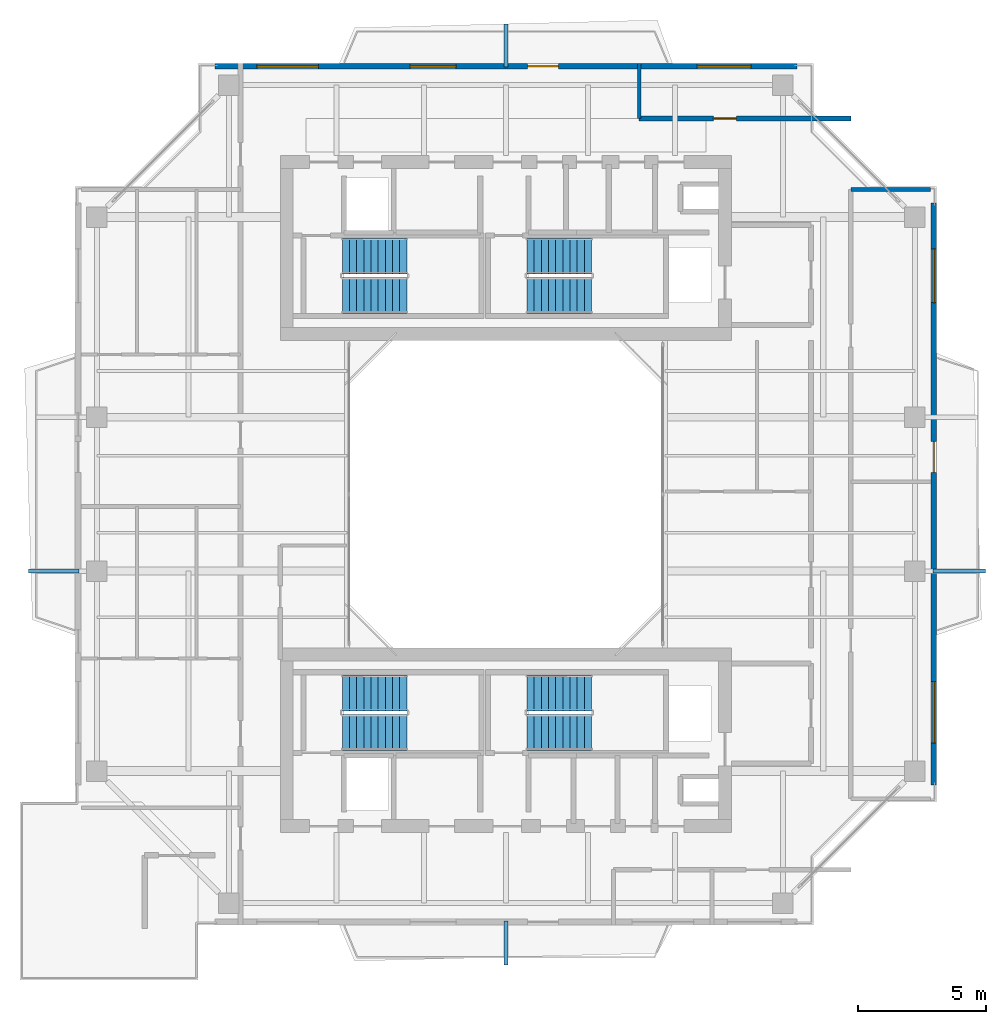
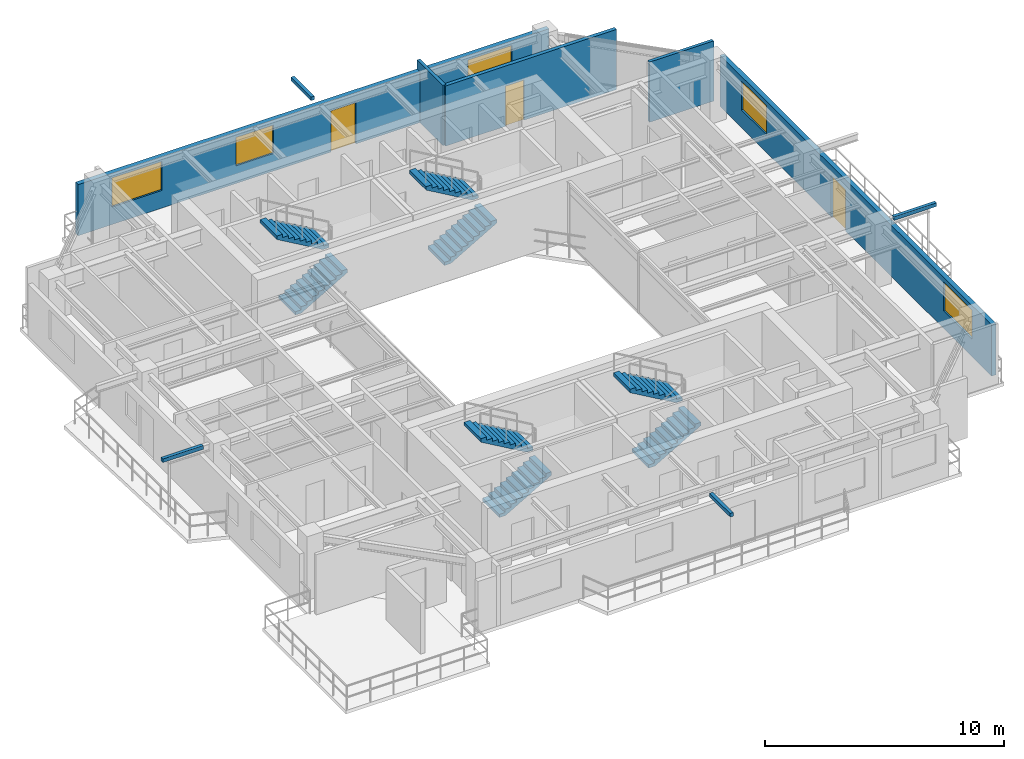
# One storey, part 12 of 15: 8 stair flights, 5 walls, 5 windows, 4 discrete accessories, 3 doors, 8 openings, 4 elements without a shape of their own.
"""IFC4 building model written with IfcOpenShell, lengths in metres."""

from ifc_helpers import new_model, si_unit, direction, frame, frame_2d, origin, origin_2d, place, context, subcontext, project, spatial, polyline, rectangle, outline, extrude, source, transform, mapped, material, layer, layer_set, type_object, element, fill, aggregate, save


model = new_model("IFC4")

# Units and contexts
model_context = context("Model", 3, precision=1e-05, world=origin(), true_north=direction((0.0, 1.0)))
body_context = subcontext(model_context, "Body", "Model", "MODEL_VIEW")
ifc_project = project(units=[si_unit("LENGTHUNIT", "METRE"), si_unit("AREAUNIT", "SQUARE_METRE"), si_unit("VOLUMEUNIT", "CUBIC_METRE"), si_unit("PLANEANGLEUNIT", "RADIAN"), si_unit("MASSUNIT", "GRAM", prefix="KILO"), si_unit("THERMODYNAMICTEMPERATUREUNIT", "KELVIN"), si_unit("POWERUNIT", "WATT")], contexts=[model_context])

# Site, building, storey
site_placement = place(None, origin())
site = spatial("IfcSite", under=ifc_project, at=site_placement, CompositionType="ELEMENT")
building_placement = place(site_placement, origin())
building = spatial("IfcBuilding", under=site, at=building_placement, Name="Qiaomeng Ring Towers", CompositionType="ELEMENT")
storey_placement = place(building_placement, frame((0.0, 0.0, 193.75)))
storey = spatial("IfcBuildingStorey", under=building, at=storey_placement, Name="L56", CompositionType="ELEMENT", Elevation=193.75)

# Wall, openings, windows, door
ifc_material_1 = material(Name="Precast concrete C40", Category="concrete")
ifc_layer_1 = layer(ifc_material_1, 0.219970703125, Name="Precast concrete C40")
ifc_layer_set_1 = layer_set([ifc_layer_1], Name="Precast concrete C40")
wall_type_1 = type_object("IfcWallType", Name="ARC-WL-EW2", PredefinedType="STANDARD", material=ifc_layer_set_1)
wall_1_placement = place(storey_placement, frame((7.64990234375, 39.68994140625, 0.0), z_axis=(0.0, 0.0, 1.0), x_axis=(1.0, 0.0, 0.0)))
wall_1 = element("IfcWall", 1, at=wall_1_placement, inside=storey, type_object=wall_type_1, Name="L56 Tower 1 N Exterior Wall", PredefinedType="STANDARD", context=body_context, shape_type="SweptSolid", body=[
    extrude(rectangle(XDim=22.7001953125, YDim=0.219970703125, at=frame_2d((11.35009765625, 0.0))), origin(), (0.0, 0.0, 1.0), 2.610107421875),
])
opening_1_placement = place(wall_1_placement, frame((12.199951171875, 0.0, 0.0)))
opening_1 = element("IfcOpeningElement", 2, at=opening_1_placement, cuts=wall_1, Name="Opening BD1", PredefinedType="OPENING", context=body_context, shape_type="SweptSolid", body=[
    extrude(rectangle(XDim=1.199951171875, YDim=2.10009765625, at=frame_2d((0.60009765625, 1.050048828125))), frame((0.0, 0.119873046875, 0.0), z_axis=(0.0, -1.0, 0.0), x_axis=(1.0, 0.0, 0.0)), (0.0, 0.0, 1.0), 0.239990234375),
])
opening_2_placement = place(wall_1_placement, frame((1.636962890625, 0.0, 0.89990234375)))
opening_2 = element("IfcOpeningElement", 3, at=opening_2_placement, cuts=wall_1, Name="Opening WN6", PredefinedType="OPENING", context=body_context, shape_type="SweptSolid", body=[
    extrude(rectangle(XDim=2.39990234375, YDim=1.47998046875, at=frame_2d((1.199951171875, 0.739990234375))), frame((0.0, 0.119873046875, 0.0), z_axis=(0.0, -1.0, 0.0), x_axis=(1.0, 0.0, 0.0)), (0.0, 0.0, 1.0), 0.239990234375),
])
opening_3_placement = place(wall_1_placement, frame((7.612060546875, 0.0, 0.89990234375)))
opening_3 = element("IfcOpeningElement", 4, at=opening_3_placement, cuts=wall_1, Name="Opening WN1", PredefinedType="OPENING", context=body_context, shape_type="SweptSolid", body=[
    extrude(rectangle(XDim=1.800048828125, YDim=1.449951171875, at=frame_2d((0.89990234375, 0.72509765625))), frame((0.0, 0.119873046875, 0.0), z_axis=(0.0, -1.0, 0.0), x_axis=(1.0, 0.0, 0.0)), (0.0, 0.0, 1.0), 0.239990234375),
])
opening_4_placement = place(wall_1_placement, frame((18.81201171875, 0.0, 0.89990234375)))
opening_4 = element("IfcOpeningElement", 5, at=opening_4_placement, cuts=wall_1, Name="Opening WN4", PredefinedType="OPENING", context=body_context, shape_type="SweptSolid", body=[
    extrude(rectangle(XDim=2.10009765625, YDim=1.47998046875, at=frame_2d((1.050048828125, 0.739990234375))), frame((0.0, 0.119873046875, 0.0), z_axis=(0.0, -1.0, 0.0), x_axis=(1.0, 0.0, 0.0)), (0.0, 0.0, 1.0), 0.239990234375),
])
ifc_material_2 = material(Name="Low-E dark-grey laminated double glazing", Category="glass")
window_type_1 = type_object("IfcWindowType", Name="ARC-WN-4", PartitioningType="TRIPLE_PANEL_VERTICAL", PredefinedType="WINDOW", material=ifc_material_2)
shared_shape_1 = source(origin(), body_context, "Body", "SweptSolid", [
    extrude(rectangle(XDim=2.10009765625, YDim=1.47998046875, at=frame_2d((1.050048828125, 0.739990234375))), frame((0.0, 0.030029296875, 0.0), z_axis=(0.0, -1.0, 0.0), x_axis=(1.0, 0.0, 0.0)), (0.0, 0.0, 1.0), 0.06005859375),
])
window_1_placement = place(opening_4_placement, origin())
window_1 = element("IfcWindow", 6, at=window_1_placement, inside=storey, type_object=window_type_1, Name="L56 Exterior Window WN4", OverallHeight=1.47998046875, OverallWidth=2.10009765625, PartitioningType="TRIPLE_PANEL_VERTICAL", PredefinedType="WINDOW", context=body_context, shape_type="MappedRepresentation", body=[
    mapped(shared_shape_1, transform((0.0, 0.0, 0.0), x_axis=(1.0, 0.0, 0.0), y_axis=(0.0, 1.0, 0.0), z_axis=(0.0, 0.0, 1.0), scale=1.0)),
])
fill(opening_4, window_1)
window_type_2 = type_object("IfcWindowType", Name="ARC-WN-1", PartitioningType="DOUBLE_PANEL_VERTICAL", PredefinedType="WINDOW", material=ifc_material_2)
shared_shape_2 = source(origin(), body_context, "Body", "SweptSolid", [
    extrude(rectangle(XDim=1.800048828125, YDim=1.449951171875, at=frame_2d((0.89990234375, 0.72509765625))), frame((0.0, 0.030029296875, 0.0), z_axis=(0.0, -1.0, 0.0), x_axis=(1.0, 0.0, 0.0)), (0.0, 0.0, 1.0), 0.06005859375),
])
window_2_placement = place(opening_3_placement, origin())
window_2 = element("IfcWindow", 7, at=window_2_placement, inside=storey, type_object=window_type_2, Name="L56 Exterior Window WN1", OverallHeight=1.449951171875, OverallWidth=1.800048828125, PartitioningType="DOUBLE_PANEL_VERTICAL", PredefinedType="WINDOW", context=body_context, shape_type="MappedRepresentation", body=[
    mapped(shared_shape_2, transform((0.0, 0.0, 0.0), x_axis=(1.0, 0.0, 0.0), y_axis=(0.0, 1.0, 0.0), z_axis=(0.0, 0.0, 1.0), scale=1.0)),
])
fill(opening_3, window_2)
window_type_3 = type_object("IfcWindowType", Name="ARC-WN-6", PartitioningType="TRIPLE_PANEL_VERTICAL", PredefinedType="WINDOW", material=ifc_material_2)
shared_shape_3 = source(origin(), body_context, "Body", "SweptSolid", [
    extrude(rectangle(XDim=2.39990234375, YDim=1.47998046875, at=frame_2d((1.199951171875, 0.739990234375))), frame((0.0, 0.030029296875, 0.0), z_axis=(0.0, -1.0, 0.0), x_axis=(1.0, 0.0, 0.0)), (0.0, 0.0, 1.0), 0.06005859375),
])
window_3_placement = place(opening_2_placement, origin())
window_3 = element("IfcWindow", 8, at=window_3_placement, inside=storey, type_object=window_type_3, Name="L56 Exterior Window WN6", OverallHeight=1.47998046875, OverallWidth=2.39990234375, PartitioningType="TRIPLE_PANEL_VERTICAL", PredefinedType="WINDOW", context=body_context, shape_type="MappedRepresentation", body=[
    mapped(shared_shape_3, transform((0.0, 0.0, 0.0), x_axis=(1.0, 0.0, 0.0), y_axis=(0.0, 1.0, 0.0), z_axis=(0.0, 0.0, 1.0), scale=1.0)),
])
fill(opening_2, window_3)
door_type_1 = type_object("IfcDoorType", Name="ARC-DR-BD1", OperationType="NOTDEFINED", PredefinedType="DOOR", material=ifc_material_2)
shared_shape_4 = source(origin(), body_context, "Body", "SweptSolid", [
    extrude(rectangle(XDim=1.199951171875, YDim=2.10009765625, at=frame_2d((0.60009765625, 1.050048828125))), frame((0.0, 0.02490234375, 0.0), z_axis=(0.0, -1.0, 0.0), x_axis=(1.0, 0.0, 0.0)), (0.0, 0.0, 1.0), 0.050048828125),
])
door_1_placement = place(opening_1_placement, origin())
door_1 = element("IfcDoor", 9, at=door_1_placement, inside=storey, type_object=door_type_1, Name="L56 N Balcony Glazed Door", OperationType="SINGLE_SWING_LEFT", OverallHeight=2.10009765625, OverallWidth=1.199951171875, PredefinedType="DOOR", context=body_context, shape_type="MappedRepresentation", body=[
    mapped(shared_shape_4, transform((0.0, 0.0, 0.0), x_axis=(1.0, 0.0, 0.0), y_axis=(0.0, 1.0, 0.0), z_axis=(0.0, 0.0, 1.0), scale=1.0)),
])
fill(opening_1, door_1)

wall_2_placement = place(storey_placement, frame((35.68994140625, 11.64990234375, 0.0), z_axis=(0.0, 0.0, 1.0), x_axis=(0.0, 1.0, 0.0)))
wall_2 = element("IfcWall", 10, at=wall_2_placement, inside=storey, type_object=wall_type_1, Name="L56 Tower 1 E Exterior Wall", PredefinedType="STANDARD", context=body_context, shape_type="SweptSolid", body=[
    extrude(rectangle(XDim=22.7001953125, YDim=0.219970703125, at=frame_2d((11.35009765625, 0.0))), origin(), (0.0, 0.0, 1.0), 2.610107421875),
])
opening_5_placement = place(wall_2_placement, frame((12.199951171875, 0.0, 0.0)))
opening_5 = element("IfcOpeningElement", 11, at=opening_5_placement, cuts=wall_2, Name="Opening BD1", PredefinedType="OPENING", context=body_context, shape_type="SweptSolid", body=[
    extrude(rectangle(XDim=1.199951171875, YDim=2.10009765625, at=frame_2d((0.60009765625, 1.050048828125))), frame((0.0, 0.119873046875, 0.0), z_axis=(0.0, -1.0, 0.0), x_axis=(1.0, 0.0, 0.0)), (0.0, 0.0, 1.0), 0.239990234375),
])
opening_6_placement = place(wall_2_placement, frame((1.637939453125, 0.0, 0.89990234375)))
opening_6 = element("IfcOpeningElement", 12, at=opening_6_placement, cuts=wall_2, Name="Opening WN6", PredefinedType="OPENING", context=body_context, shape_type="SweptSolid", body=[
    extrude(rectangle(XDim=2.39990234375, YDim=1.47998046875, at=frame_2d((1.199951171875, 0.739990234375))), frame((0.0, 0.119873046875, 0.0), z_axis=(0.0, -1.0, 0.0), x_axis=(1.0, 0.0, 0.0)), (0.0, 0.0, 1.0), 0.239990234375),
])
opening_7_placement = place(wall_2_placement, frame((18.81298828125, 0.0, 0.89990234375)))
opening_7 = element("IfcOpeningElement", 13, at=opening_7_placement, cuts=wall_2, Name="Opening WN4", PredefinedType="OPENING", context=body_context, shape_type="SweptSolid", body=[
    extrude(rectangle(XDim=2.10009765625, YDim=1.47998046875, at=frame_2d((1.050048828125, 0.739990234375))), frame((0.0, 0.119873046875, 0.0), z_axis=(0.0, -1.0, 0.0), x_axis=(1.0, 0.0, 0.0)), (0.0, 0.0, 1.0), 0.239990234375),
])
window_4_placement = place(opening_7_placement, origin())
window_4 = element("IfcWindow", 14, at=window_4_placement, inside=storey, type_object=window_type_1, Name="L56 Exterior Window WN4", OverallHeight=1.47998046875, OverallWidth=2.10009765625, PartitioningType="TRIPLE_PANEL_VERTICAL", PredefinedType="WINDOW", context=body_context, shape_type="MappedRepresentation", body=[
    mapped(shared_shape_1, transform((0.0, 0.0, 0.0), x_axis=(1.0, 0.0, 0.0), y_axis=(0.0, 1.0, 0.0), z_axis=(0.0, 0.0, 1.0), scale=1.0)),
])
fill(opening_7, window_4)
window_5_placement = place(opening_6_placement, origin())
window_5 = element("IfcWindow", 15, at=window_5_placement, inside=storey, type_object=window_type_3, Name="L56 Exterior Window WN6", OverallHeight=1.47998046875, OverallWidth=2.39990234375, PartitioningType="TRIPLE_PANEL_VERTICAL", PredefinedType="WINDOW", context=body_context, shape_type="MappedRepresentation", body=[
    mapped(shared_shape_3, transform((0.0, 0.0, 0.0), x_axis=(1.0, 0.0, 0.0), y_axis=(0.0, 1.0, 0.0), z_axis=(0.0, 0.0, 1.0), scale=1.0)),
])
fill(opening_6, window_5)
door_2_placement = place(opening_5_placement, origin())
door_2 = element("IfcDoor", 16, at=door_2_placement, inside=storey, type_object=door_type_1, Name="L56 E Balcony Glazed Door", OperationType="SINGLE_SWING_LEFT", OverallHeight=2.10009765625, OverallWidth=1.199951171875, PredefinedType="DOOR", context=body_context, shape_type="MappedRepresentation", body=[
    mapped(shared_shape_4, transform((0.0, 0.0, 0.0), x_axis=(1.0, 0.0, 0.0), y_axis=(0.0, 1.0, 0.0), z_axis=(0.0, 0.0, 1.0), scale=1.0)),
])
fill(opening_5, door_2)

# Wall, opening, door
ifc_material_3 = material(Name="Autoclaved aerated concrete block", Category="concrete")
ifc_layer_2 = layer(ifc_material_3, 0.179931640625, Name="Autoclaved aerated concrete block")
ifc_layer_set_2 = layer_set([ifc_layer_2], Name="Autoclaved aerated concrete block")
wall_type_2 = type_object("IfcWallType", Name="ARC-WL-PW2", PredefinedType="PARTITIONING", material=ifc_layer_set_2)
wall_3_placement = place(storey_placement, frame((24.199951171875, 37.64990234375, 0.0), z_axis=(0.0, 0.0, 1.0), x_axis=(1.0, 0.0, 0.0)))
wall_3 = element("IfcWall", 17, at=wall_3_placement, inside=storey, type_object=wall_type_2, Name="L56 Interior Wall PW2", PredefinedType="PARTITIONING", context=body_context, shape_type="SweptSolid", body=[
    extrude(rectangle(XDim=8.25, YDim=0.179931640625, at=frame_2d((4.125, 0.0))), origin(), (0.0, 0.0, 1.0), 3.070068359375),
])
opening_8_placement = place(wall_3_placement, frame((2.889892578125, 0.0, 0.0)))
opening_8 = element("IfcOpeningElement", 18, at=opening_8_placement, cuts=wall_3, Name="Opening ID1", PredefinedType="OPENING", context=body_context, shape_type="SweptSolid", body=[
    extrude(rectangle(XDim=0.89990234375, YDim=2.050048828125, at=frame_2d((0.449951171875, 1.02490234375))), frame((0.0, 0.099853515625, 0.0), z_axis=(0.0, -1.0, 0.0), x_axis=(1.0, 0.0, 0.0)), (0.0, 0.0, 1.0), 0.199951171875),
])
ifc_material_4 = material(Name="Engineered oak timber", Category="wood")
door_type_2 = type_object("IfcDoorType", Name="ARC-DR-ID1", OperationType="NOTDEFINED", PredefinedType="DOOR", material=ifc_material_4)
shared_shape_5 = source(origin(), body_context, "Body", "SweptSolid", [
    extrude(rectangle(XDim=0.89990234375, YDim=2.050048828125, at=frame_2d((0.449951171875, 1.02490234375))), frame((0.0, 0.02490234375, 0.0), z_axis=(0.0, -1.0, 0.0), x_axis=(1.0, 0.0, 0.0)), (0.0, 0.0, 1.0), 0.050048828125),
])
door_3_placement = place(opening_8_placement, origin())
door_3 = element("IfcDoor", 19, at=door_3_placement, inside=storey, type_object=door_type_2, Name="L56 Door ID1", OperationType="SINGLE_SWING_LEFT", OverallHeight=2.050048828125, OverallWidth=0.89990234375, PredefinedType="DOOR", context=body_context, shape_type="MappedRepresentation", body=[
    mapped(shared_shape_5, transform((0.0, 0.0, 0.0), x_axis=(1.0, 0.0, 0.0), y_axis=(0.0, 1.0, 0.0), z_axis=(0.0, 0.0, 1.0), scale=1.0)),
])
fill(opening_8, door_3)

# Walls
ifc_material_5 = material(Name="Gypsum fireboard steel-stud partition", Category="steel")
ifc_layer_3 = layer(ifc_material_5, 0.14990234375, Name="Gypsum fireboard steel-stud partition")
ifc_layer_set_3 = layer_set([ifc_layer_3], Name="Gypsum fireboard steel-stud partition")
wall_type_3 = type_object("IfcWallType", Name="ARC-WL-PW3", PredefinedType="PARTITIONING", material=ifc_layer_set_3)
wall_4_placement = place(storey_placement, frame((24.199951171875, 37.64990234375, 0.0), z_axis=(0.0, 0.0, 1.0), x_axis=(0.0, 1.0, 0.0)))
element("IfcWall", 20, at=wall_4_placement, inside=storey, type_object=wall_type_3, Name="L56 Interior Wall PW3", PredefinedType="PARTITIONING", context=body_context, shape_type="SweptSolid", body=[
    extrude(rectangle(XDim=2.150146484375, YDim=0.14990234375, at=frame_2d((1.0751953125, 0.0))), origin(), (0.0, 0.0, 1.0), 3.070068359375),
])
wall_5_placement = place(storey_placement, frame((32.449951171875, 34.8798828125, 0.0), z_axis=(0.0, 0.0, 1.0), x_axis=(1.0, 0.0, 0.0)))
element("IfcWall", 21, at=wall_5_placement, inside=storey, type_object=wall_type_3, Name="L56 Interior Wall PW3", PredefinedType="PARTITIONING", context=body_context, shape_type="SweptSolid", body=[
    extrude(rectangle(XDim=3.10009765625, YDim=0.14990234375, at=frame_2d((1.550048828125, 0.0))), origin(), (0.0, 0.0, 1.0), 3.070068359375),
])

# Stair, stair flights
stair_type = type_object("IfcStairType", Name="ARC-ST-325", PredefinedType="HALF_TURN_STAIR", material=ifc_material_1)
stair_1_placement = place(storey_placement, origin())
stair_1 = element("IfcStair", 22, at=stair_1_placement, inside=storey, type_object=stair_type, Name="L56 Tower 1 North Stair 1", PredefinedType="HALF_TURN_STAIR")
stair_flight_type = type_object("IfcStairFlightType", Name="ARC-ST-325-FL", PredefinedType="STRAIGHT", material=ifc_material_1)
shared_shape_6 = source(origin(), body_context, "Body", "SweptSolid", [
    extrude(outline(polyline([(0.0, 0.0), (0.0, 0.16259765625), (0.280029296875, 0.16259765625), (0.280029296875, 0.324951171875), (0.56005859375, 0.324951171875), (0.56005859375, 0.487548828125), (0.840087890625, 0.487548828125), (0.840087890625, 0.64990234375), (1.1201171875, 0.64990234375), (1.1201171875, 0.8125), (1.39990234375, 0.8125), (1.39990234375, 0.97509765625), (1.679931640625, 0.97509765625), (1.679931640625, 1.137451171875), (1.9599609375, 1.137451171875), (1.9599609375, 1.300048828125), (2.239990234375, 1.300048828125), (2.239990234375, 1.46240234375), (2.52001953125, 1.46240234375), (2.52001953125, 1.625), (2.52001953125, 1.2890625), (0.298583984375, 0.0), (0.0, 0.0)])), frame((0.0, 0.699951171875, 0.0), z_axis=(0.0, -1.0, 0.0), x_axis=(1.0, 0.0, 0.0)), (0.0, 0.0, 1.0), 1.39990234375),
])
stair_flight_1_placement = place(storey_placement, frame((12.6201171875, 30.75, 0.0), z_axis=(0.0, 0.0, 1.0), x_axis=(1.0, 0.0, 0.0)))
stair_flight_1 = element("IfcStairFlight", 23, at=stair_flight_1_placement, type_object=stair_flight_type, Name="ST1 flight 1", NumberOfRisers=10, NumberOfTreads=9, PredefinedType="STRAIGHT", RiserHeight=0.1625, TreadLength=0.28, context=body_context, shape_type="MappedRepresentation", body=[
    mapped(shared_shape_6, transform((0.0, 0.0, 0.0), x_axis=(1.0, 0.0, 0.0), y_axis=(0.0, 1.0, 0.0), z_axis=(0.0, 0.0, 1.0), scale=1.0)),
])
stair_flight_2_placement = place(storey_placement, frame((15.139892578125, 32.2900390625, 1.625), z_axis=(0.0, 0.0, 1.0), x_axis=(-1.0, 0.0, 0.0)))
stair_flight_2 = element("IfcStairFlight", 24, at=stair_flight_2_placement, type_object=stair_flight_type, Name="ST1 flight 2", NumberOfRisers=10, NumberOfTreads=9, PredefinedType="STRAIGHT", RiserHeight=0.1625, TreadLength=0.28, context=body_context, shape_type="MappedRepresentation", body=[
    mapped(shared_shape_6, transform((0.0, 0.0, 0.0), x_axis=(1.0, 0.0, 0.0), y_axis=(0.0, 1.0, 0.0), z_axis=(0.0, 0.0, 1.0), scale=1.0)),
])
aggregate(stair_1, [stair_flight_1, stair_flight_2])

stair_2_placement = place(storey_placement, origin())
stair_2 = element("IfcStair", 25, at=stair_2_placement, inside=storey, type_object=stair_type, Name="L56 Tower 1 North Stair 2", PredefinedType="HALF_TURN_STAIR")
stair_flight_3_placement = place(storey_placement, frame((19.820068359375, 30.75, 0.0), z_axis=(0.0, 0.0, 1.0), x_axis=(1.0, 0.0, 0.0)))
stair_flight_3 = element("IfcStairFlight", 26, at=stair_flight_3_placement, type_object=stair_flight_type, Name="ST2 flight 1", NumberOfRisers=10, NumberOfTreads=9, PredefinedType="STRAIGHT", RiserHeight=0.1625, TreadLength=0.28, context=body_context, shape_type="MappedRepresentation", body=[
    mapped(shared_shape_6, transform((0.0, 0.0, 0.0), x_axis=(1.0, 0.0, 0.0), y_axis=(0.0, 1.0, 0.0), z_axis=(0.0, 0.0, 1.0), scale=1.0)),
])
stair_flight_4_placement = place(storey_placement, frame((22.340087890625, 32.2900390625, 1.625), z_axis=(0.0, 0.0, 1.0), x_axis=(-1.0, 0.0, 0.0)))
stair_flight_4 = element("IfcStairFlight", 27, at=stair_flight_4_placement, type_object=stair_flight_type, Name="ST2 flight 2", NumberOfRisers=10, NumberOfTreads=9, PredefinedType="STRAIGHT", RiserHeight=0.1625, TreadLength=0.28, context=body_context, shape_type="MappedRepresentation", body=[
    mapped(shared_shape_6, transform((0.0, 0.0, 0.0), x_axis=(1.0, 0.0, 0.0), y_axis=(0.0, 1.0, 0.0), z_axis=(0.0, 0.0, 1.0), scale=1.0)),
])
aggregate(stair_2, [stair_flight_3, stair_flight_4])

stair_3_placement = place(storey_placement, origin())
stair_3 = element("IfcStair", 28, at=stair_3_placement, inside=storey, type_object=stair_type, Name="L56 Tower 1 South Stair 3", PredefinedType="HALF_TURN_STAIR")
stair_flight_5_placement = place(storey_placement, frame((12.6201171875, 13.7099609375, 0.0), z_axis=(0.0, 0.0, 1.0), x_axis=(1.0, 0.0, 0.0)))
stair_flight_5 = element("IfcStairFlight", 29, at=stair_flight_5_placement, type_object=stair_flight_type, Name="ST3 flight 1", NumberOfRisers=10, NumberOfTreads=9, PredefinedType="STRAIGHT", RiserHeight=0.1625, TreadLength=0.28, context=body_context, shape_type="MappedRepresentation", body=[
    mapped(shared_shape_6, transform((0.0, 0.0, 0.0), x_axis=(1.0, 0.0, 0.0), y_axis=(0.0, 1.0, 0.0), z_axis=(0.0, 0.0, 1.0), scale=1.0)),
])
stair_flight_6_placement = place(storey_placement, frame((15.139892578125, 15.25, 1.625), z_axis=(0.0, 0.0, 1.0), x_axis=(-1.0, 0.0, 0.0)))
stair_flight_6 = element("IfcStairFlight", 30, at=stair_flight_6_placement, type_object=stair_flight_type, Name="ST3 flight 2", NumberOfRisers=10, NumberOfTreads=9, PredefinedType="STRAIGHT", RiserHeight=0.1625, TreadLength=0.28, context=body_context, shape_type="MappedRepresentation", body=[
    mapped(shared_shape_6, transform((0.0, 0.0, 0.0), x_axis=(1.0, 0.0, 0.0), y_axis=(0.0, 1.0, 0.0), z_axis=(0.0, 0.0, 1.0), scale=1.0)),
])
aggregate(stair_3, [stair_flight_5, stair_flight_6])

stair_4_placement = place(storey_placement, origin())
stair_4 = element("IfcStair", 31, at=stair_4_placement, inside=storey, type_object=stair_type, Name="L56 Tower 1 South Stair 4", PredefinedType="HALF_TURN_STAIR")
stair_flight_7_placement = place(storey_placement, frame((19.820068359375, 13.7099609375, 0.0), z_axis=(0.0, 0.0, 1.0), x_axis=(1.0, 0.0, 0.0)))
stair_flight_7 = element("IfcStairFlight", 32, at=stair_flight_7_placement, type_object=stair_flight_type, Name="ST4 flight 1", NumberOfRisers=10, NumberOfTreads=9, PredefinedType="STRAIGHT", RiserHeight=0.1625, TreadLength=0.28, context=body_context, shape_type="MappedRepresentation", body=[
    mapped(shared_shape_6, transform((0.0, 0.0, 0.0), x_axis=(1.0, 0.0, 0.0), y_axis=(0.0, 1.0, 0.0), z_axis=(0.0, 0.0, 1.0), scale=1.0)),
])
stair_flight_8_placement = place(storey_placement, frame((22.340087890625, 15.25, 1.625), z_axis=(0.0, 0.0, 1.0), x_axis=(-1.0, 0.0, 0.0)))
stair_flight_8 = element("IfcStairFlight", 33, at=stair_flight_8_placement, type_object=stair_flight_type, Name="ST4 flight 2", NumberOfRisers=10, NumberOfTreads=9, PredefinedType="STRAIGHT", RiserHeight=0.1625, TreadLength=0.28, context=body_context, shape_type="MappedRepresentation", body=[
    mapped(shared_shape_6, transform((0.0, 0.0, 0.0), x_axis=(1.0, 0.0, 0.0), y_axis=(0.0, 1.0, 0.0), z_axis=(0.0, 0.0, 1.0), scale=1.0)),
])
aggregate(stair_4, [stair_flight_7, stair_flight_8])

# Discrete accessories
ifc_material_6 = material(Name="Stainless steel 316", Category="steel")
discrete_accessory_type = type_object("IfcDiscreteAccessoryType", Name="ARC-ACC-BRACKET", PredefinedType="BRACKET", material=ifc_material_6)
shared_shape_7 = source(origin(), body_context, "Body", "SweptSolid", [
    extrude(rectangle(XDim=2.050048828125, YDim=0.159912109375, at=origin_2d()), origin(), (0.0, 0.0, 1.0), 0.179931640625),
])
discrete_accessory_1_placement = place(storey_placement, frame((36.675048828125, 20.0, 2.89990234375), z_axis=(0.0, 0.0, 1.0), x_axis=(1.0, 0.0, 0.0)))
element("IfcDiscreteAccessory", 34, at=discrete_accessory_1_placement, inside=storey, type_object=discrete_accessory_type, Name="L56 Stainless Outer-Skin Tie Bracket E", PredefinedType="BRACKET", context=body_context, shape_type="MappedRepresentation", body=[
    mapped(shared_shape_7, transform((0.0, 0.0, 0.0), x_axis=(1.0, 0.0, 0.0), y_axis=(0.0, 1.0, 0.0), z_axis=(0.0, 0.0, 1.0), scale=1.0)),
])
shared_shape_8 = source(origin(), body_context, "Body", "SweptSolid", [
    extrude(rectangle(XDim=0.159912109375, YDim=1.7099609375, at=origin_2d()), origin(), (0.0, 0.0, 1.0), 0.179931640625),
])
discrete_accessory_2_placement = place(storey_placement, frame((19.0, 5.4951171875, 2.89990234375), z_axis=(0.0, 0.0, 1.0), x_axis=(1.0, 0.0, 0.0)))
element("IfcDiscreteAccessory", 35, at=discrete_accessory_2_placement, inside=storey, type_object=discrete_accessory_type, Name="L56 Stainless Outer-Skin Tie Bracket S", PredefinedType="BRACKET", context=body_context, shape_type="MappedRepresentation", body=[
    mapped(shared_shape_8, transform((0.0, 0.0, 0.0), x_axis=(1.0, 0.0, 0.0), y_axis=(0.0, 1.0, 0.0), z_axis=(0.0, 0.0, 1.0), scale=1.0)),
])
shared_shape_9 = source(origin(), body_context, "Body", "SweptSolid", [
    extrude(rectangle(XDim=0.159912109375, YDim=1.68994140625, at=origin_2d()), origin(), (0.0, 0.0, 1.0), 0.179931640625),
])
discrete_accessory_3_placement = place(storey_placement, frame((19.0, 40.4951171875, 2.89990234375), z_axis=(0.0, 0.0, 1.0), x_axis=(1.0, 0.0, 0.0)))
element("IfcDiscreteAccessory", 36, at=discrete_accessory_3_placement, inside=storey, type_object=discrete_accessory_type, Name="L56 Stainless Outer-Skin Tie Bracket N", PredefinedType="BRACKET", context=body_context, shape_type="MappedRepresentation", body=[
    mapped(shared_shape_9, transform((0.0, 0.0, 0.0), x_axis=(1.0, 0.0, 0.0), y_axis=(0.0, 1.0, 0.0), z_axis=(0.0, 0.0, 1.0), scale=1.0)),
])
shared_shape_10 = source(origin(), body_context, "Body", "SweptSolid", [
    extrude(rectangle(XDim=1.969970703125, YDim=0.159912109375, at=origin_2d()), origin(), (0.0, 0.0, 1.0), 0.179931640625),
])
discrete_accessory_4_placement = place(storey_placement, frame((1.364990234375, 20.0, 2.89990234375), z_axis=(0.0, 0.0, 1.0), x_axis=(1.0, 0.0, 0.0)))
element("IfcDiscreteAccessory", 37, at=discrete_accessory_4_placement, inside=storey, type_object=discrete_accessory_type, Name="L56 Stainless Outer-Skin Tie Bracket W", PredefinedType="BRACKET", context=body_context, shape_type="MappedRepresentation", body=[
    mapped(shared_shape_10, transform((0.0, 0.0, 0.0), x_axis=(1.0, 0.0, 0.0), y_axis=(0.0, 1.0, 0.0), z_axis=(0.0, 0.0, 1.0), scale=1.0)),
])

save(model, "model.ifc")
